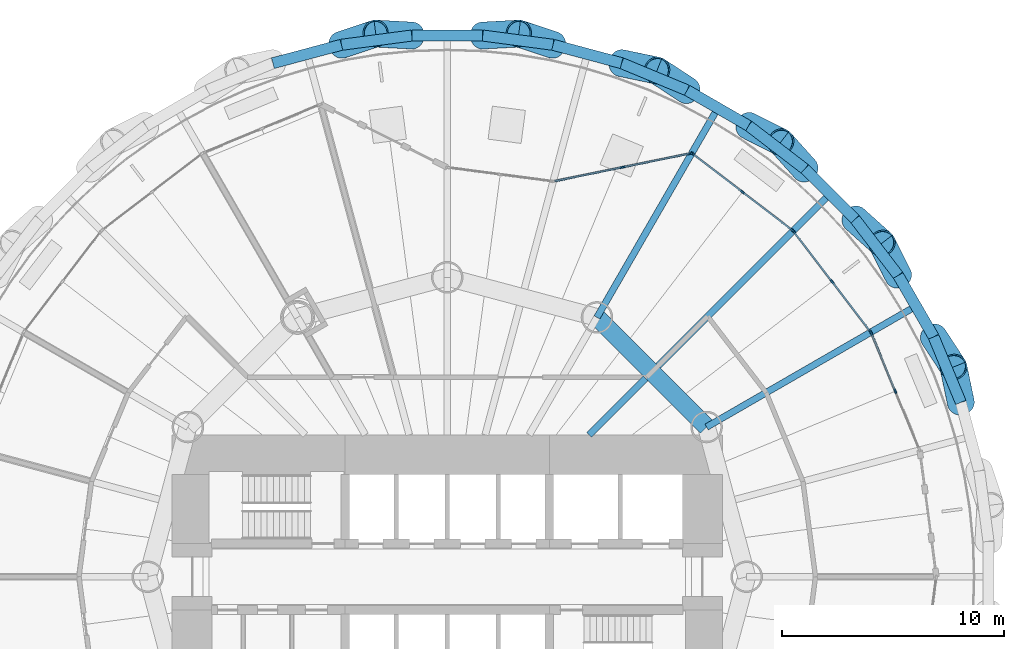
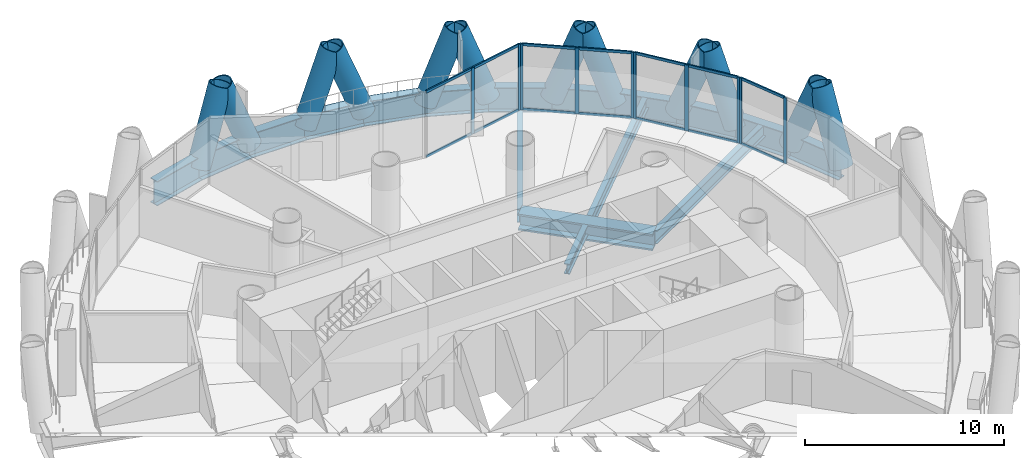
# One storey, part 7 of 16: 36 members, 17 beams, 4 elements without a shape of their own.
"""IFC4 building model written with IfcOpenShell, lengths in metres."""

import ifcopenshell
import ifcopenshell.guid

model = None  # the IFC model being written
_history = None  # IfcOwnerHistory: only IFC2X3 demands one
_inside = {}  # id of a spatial element -> (the spatial element, [elements in it])
_under = {}  # id of a project, library or spatial element -> (it, [spatial elements below it])
_declared = {}  # id of a project -> (the project, [libraries it declares])
_typed = {}  # id of a type object -> (the type object, [elements of that type])
_made_of = {}  # id of a material, layer set ... -> (it, [elements and type objects made of it])


def new_model(schema):
    """Start an empty IFC model of exactly this schema.

    Asked for "IFC4X3", IfcOpenShell would pick the latest addendum, in which some entities
    have other attributes; the version numbers below select the first issue.
    IFC2X3 requires an IfcOwnerHistory on every rooted entity: one is made here for all.
    """
    global model, _history
    if schema == "IFC4X3":
        model = ifcopenshell.file(schema_version=(4, 3, 0, 0))
    else:
        model = ifcopenshell.file(schema=schema)
    _inside.clear()
    _under.clear()
    _declared.clear()
    _typed.clear()
    _made_of.clear()
    _history = None
    if model.schema == "IFC2X3":
        org = make("IfcOrganization", Name="unknown")
        user = make(
            "IfcPersonAndOrganization",
            ThePerson=make("IfcPerson", FamilyName="unknown"),
            TheOrganization=org,
        )
        app = make(
            "IfcApplication",
            ApplicationDeveloper=org,
            Version="unknown",
            ApplicationFullName="unknown",
            ApplicationIdentifier="unknown",
        )
        _history = make(
            "IfcOwnerHistory",
            OwningUser=user,
            OwningApplication=app,
            ChangeAction="ADDED",
            CreationDate=0,
        )
    return model


def make(cls, **values):
    """One entity of the class cls with the attributes given. An attribute that is None is left unset."""
    return model.create_entity(
        cls, **{name: value for name, value in values.items() if value is not None}
    )


def rooted(cls, **values):
    """An entity with a GlobalId (a new one), such as an element, a storey or a relation."""
    return make(cls, GlobalId=ifcopenshell.guid.new(), OwnerHistory=_history, **values)


def si_unit(unit_type, name, prefix=None):
    """IfcSIUnit, for example si_unit("LENGTHUNIT", "METRE", prefix="MILLI")."""
    return make("IfcSIUnit", UnitType=unit_type, Prefix=prefix, Name=name)


def assignment(units):
    """IfcUnitAssignment: the units of a project."""
    return None if units is None else make("IfcUnitAssignment", Units=units)


def point(xyz):
    """IfcCartesianPoint."""
    return None if xyz is None else make("IfcCartesianPoint", Coordinates=xyz)


def direction(xyz):
    """IfcDirection."""
    return None if xyz is None else make("IfcDirection", DirectionRatios=xyz)


def frame(location, z_axis=None, x_axis=None):
    """IfcAxis2Placement3D, a coordinate frame: its origin and axes. An axis left out is left unset."""
    return make(
        "IfcAxis2Placement3D",
        Location=point(location),
        Axis=direction(z_axis),
        RefDirection=direction(x_axis),
    )


def frame_2d(location, x_axis=None):
    """IfcAxis2Placement2D, a coordinate frame in the plane: its origin and x axis."""
    return make(
        "IfcAxis2Placement2D", Location=point(location), RefDirection=direction(x_axis)
    )


def origin():
    """The frame at (0, 0, 0) with its axes left unset."""
    return frame((0.0, 0.0, 0.0))


def origin_2d():
    """The frame at (0, 0) in the plane with its x axis left unset."""
    return frame_2d((0.0, 0.0))


def place(relative_to, where):
    """IfcLocalPlacement: puts the frame where relative to a parent placement (None: the world)."""
    return make(
        "IfcLocalPlacement", PlacementRelTo=relative_to, RelativePlacement=where
    )


def context(
    kind, dimensions, precision=None, world=None, true_north=None, identifier=None
):
    """IfcGeometricRepresentationContext, for example the 3D "Model" context."""
    return make(
        "IfcGeometricRepresentationContext",
        ContextIdentifier=identifier,
        ContextType=kind,
        CoordinateSpaceDimension=dimensions,
        Precision=precision,
        WorldCoordinateSystem=world,
        TrueNorth=true_north,
    )


def subcontext(parent, identifier, kind, view, scale=None):
    """IfcGeometricRepresentationSubContext, for example "Body" below "Model"."""
    return make(
        "IfcGeometricRepresentationSubContext",
        ContextIdentifier=identifier,
        ContextType=kind,
        ParentContext=parent,
        TargetScale=scale,
        TargetView=view,
    )


def project(units=None, contexts=None):
    """IfcProject with its units and contexts."""
    return rooted(
        "IfcProject",
        Name="project",
        RepresentationContexts=contexts,
        UnitsInContext=assignment(units),
    )


def spatial(cls, under=None, at=None, **own):
    """A site, building, storey or space (cls), placed at a placement, below another one or the project."""
    s = rooted(cls, ObjectPlacement=at, **own)
    if under is not None:
        _under.setdefault(under.id(), (under, []))[1].append(s)
    return s


def profile(cls, at=None, kind="AREA", **sizes):
    """A parametric profile (cls). Its sizes go by their IFC names, for example OverallWidth=200.0."""
    return make(cls, ProfileType=kind, Position=at, **sizes)


def rectangle(**sizes):
    """IfcRectangleProfileDef."""
    return profile("IfcRectangleProfileDef", **sizes)


def hollow_circle(**sizes):
    """IfcCircleHollowProfileDef."""
    return profile("IfcCircleHollowProfileDef", **sizes)


def i_section(**sizes):
    """IfcIShapeProfileDef."""
    return profile("IfcIShapeProfileDef", **sizes)


def extrude(swept, where, along, depth):
    """IfcExtrudedAreaSolid: the profile swept, set in the frame where, extruded along a direction by depth."""
    return make(
        "IfcExtrudedAreaSolid",
        SweptArea=swept,
        Position=where,
        ExtrudedDirection=direction(along),
        Depth=depth,
    )


def shape(context_of_items, identifier, shape_type, items):
    """IfcShapeRepresentation: the items that make up one representation, for example the "Body"."""
    return make(
        "IfcShapeRepresentation",
        ContextOfItems=context_of_items,
        RepresentationIdentifier=identifier,
        RepresentationType=shape_type,
        Items=items,
    )


def material(Name=None, Category=None):
    """IfcMaterial."""
    return make("IfcMaterial", Name=Name, Category=Category)


def material_profile(
    of_material, cross_section, Name=None, Category=None, Priority=None
):
    """IfcMaterialProfile: a cross section and its material."""
    return make(
        "IfcMaterialProfile",
        Name=Name,
        Material=of_material,
        Profile=cross_section,
        Priority=Priority,
        Category=Category,
    )


def profile_set(profiles, Name=None, composite=None):
    """IfcMaterialProfileSet."""
    return make(
        "IfcMaterialProfileSet",
        Name=Name,
        MaterialProfiles=profiles,
        CompositeProfile=composite,
    )


def made_of(thing, what):
    """Note that an element or type object is made of a material, layer set ...; save() writes the relation."""
    if what is not None:
        _made_of.setdefault(what.id(), (what, []))[1].append(thing)
    return thing


def type_object(cls, material=None, **own):
    """A type object (cls), such as IfcWallType, which elements share."""
    return made_of(rooted(cls, **own), material)


def element(
    cls,
    number,
    at=None,
    inside=None,
    cuts=None,
    type_object=None,
    material=None,
    context=None,
    identifier="Body",
    shape_type=None,
    held_by="IfcProductDefinitionShape",
    body=None,
    shapes=None,
    **own,
):
    """One element of the class cls, such as IfcWall. Its Tag is "e" and its number.

    at: its placement. inside: the storey or other place that contains it. cuts: it is an
    opening in that element (IfcRelVoidsElement). A single representation is given by context,
    identifier, shape_type and body (its items); several are given by shapes. held_by: the class
    of the entity that holds the representations. save() writes the other relations.
    """
    e = rooted(cls, Tag="e%d" % number, ObjectPlacement=at, **own)
    if body is not None:
        shapes = [shape(context, identifier, shape_type, body)]
    if shapes is not None:
        e.Representation = make(held_by, Representations=shapes)
    if inside is not None:
        _inside.setdefault(inside.id(), (inside, []))[1].append(e)
    if cuts is not None:
        rooted(
            "IfcRelVoidsElement", RelatingBuildingElement=cuts, RelatedOpeningElement=e
        )
    if type_object is not None:
        _typed.setdefault(type_object.id(), (type_object, []))[1].append(e)
    return made_of(e, material)


def aggregate(whole, parts):
    """IfcRelAggregates: a whole, such as a stair, and the parts it consists of."""
    return rooted("IfcRelAggregates", RelatingObject=whole, RelatedObjects=parts)


def save(model, path):
    """Write the relations noted so far, then the file.

    IfcRelAggregates (storeys below a building ...), IfcRelContainedInSpatialStructure (elements
    in a storey), IfcRelDefinesByType, IfcRelAssociatesMaterial and IfcRelDeclares: one each for
    every whole, place, type object, material and project.
    """
    for whole, parts in _under.values():
        aggregate(whole, parts)
    for where, things in _inside.values():
        rooted(
            "IfcRelContainedInSpatialStructure",
            RelatedElements=things,
            RelatingStructure=where,
        )
    for kind, things in _typed.values():
        rooted("IfcRelDefinesByType", RelatedObjects=things, RelatingType=kind)
    for what, things in _made_of.values():
        rooted("IfcRelAssociatesMaterial", RelatedObjects=things, RelatingMaterial=what)
    for by, libraries in _declared.values():
        rooted("IfcRelDeclares", RelatingContext=by, RelatedDefinitions=libraries)
    model.write(path)


model = new_model("IFC4")

# Units and contexts
model_context = context("Model", 3, precision=1e-05, world=origin(), true_north=direction((0.0, 1.0)))
body_context = subcontext(model_context, "Body", "Model", "MODEL_VIEW")
ifc_project = project(units=[si_unit("LENGTHUNIT", "METRE"), si_unit("AREAUNIT", "SQUARE_METRE"), si_unit("VOLUMEUNIT", "CUBIC_METRE"), si_unit("PLANEANGLEUNIT", "RADIAN"), si_unit("MASSUNIT", "GRAM", prefix="KILO")], contexts=[model_context])

# Site, building, storey
site_placement = place(None, origin())
site = spatial("IfcSite", under=ifc_project, at=site_placement, CompositionType="ELEMENT")
building_placement = place(site_placement, origin())
building = spatial("IfcBuilding", under=site, at=building_placement, Name="Qaws Media Tower", CompositionType="ELEMENT")
storey_placement = place(building_placement, frame((0.0, 0.0, 47.0)))
storey = spatial("IfcBuildingStorey", under=building, at=storey_placement, Name="L09", CompositionType="ELEMENT", Elevation=47.0)

# Curtain wall, members
ifc_material_1 = material(Name="Aluminium and clear glass", Category="aluminium")
curtain_wall_type_1 = type_object("IfcCurtainWallType", Name="Unitised curtain wall CW-A", PredefinedType="NOTDEFINED", material=ifc_material_1)
curtain_wall_1_placement = place(storey_placement, origin())
curtain_wall_1 = element("IfcCurtainWall", 1, at=curtain_wall_1_placement, inside=storey, type_object=curtain_wall_type_1, Name="CWA curtain wall L09-02", PredefinedType="NOTDEFINED")
ifc_material_2 = material(Name="Aluminium mullion", Category="aluminium")
ifc_material_profile_1 = material_profile(ifc_material_2, rectangle(XDim=0.080078125, YDim=0.199951171875, at=origin_2d()), Name="80x200")
ifc_profile_set_1 = profile_set([ifc_material_profile_1], Name="Aluminium mullion")
member_type_1 = type_object("IfcMemberType", Name="Curtain wall mullion 80x200", PredefinedType="MULLION", material=ifc_profile_set_1)
member_1_placement = place(storey_placement, frame((80.197265625, 58.365966796875, 0.0), z_axis=(0.0, 0.0, 1.0), x_axis=(-0.923879550525, -0.382683388877, 0.0)))
member_1 = element("IfcMember", 2, at=member_1_placement, type_object=member_type_1, Name="CWA mullion 2", PredefinedType="MULLION", context=body_context, shape_type="SweptSolid", body=[
    extrude(rectangle(XDim=0.080078125, YDim=0.199951171875, at=origin_2d()), origin(), (0.0, 0.0, 1.0), 4.0400390625),
])
member_2_placement = place(storey_placement, frame((79.111083984375, 60.988037109375, 0.0), z_axis=(0.0, 0.0, 1.0), x_axis=(-0.923879550525, -0.382683388877, 0.0)))
member_2 = element("IfcMember", 3, at=member_2_placement, type_object=member_type_1, Name="CWA mullion 3", PredefinedType="MULLION", context=body_context, shape_type="SweptSolid", body=[
    extrude(rectangle(XDim=0.080078125, YDim=0.199951171875, at=origin_2d()), origin(), (0.0, 0.0, 1.0), 4.0400390625),
])

curtain_wall_2_placement = place(storey_placement, origin())
curtain_wall_2 = element("IfcCurtainWall", 4, at=curtain_wall_2_placement, inside=storey, type_object=curtain_wall_type_1, Name="CWA curtain wall L09-03", PredefinedType="NOTDEFINED")
member_3_placement = place(storey_placement, frame((79.071533203125, 61.056640625, 0.0), z_axis=(0.0, 0.0, 1.0), x_axis=(-0.79335342358, -0.608761320465, 0.0)))
member_3 = element("IfcMember", 5, at=member_3_placement, type_object=member_type_1, Name="CWA mullion 1", PredefinedType="MULLION", context=body_context, shape_type="SweptSolid", body=[
    extrude(rectangle(XDim=0.080078125, YDim=0.199951171875, at=origin_2d()), origin(), (0.0, 0.0, 1.0), 4.0400390625),
])
member_4_placement = place(storey_placement, frame((77.34375, 63.308349609375, 0.0), z_axis=(0.0, 0.0, 1.0), x_axis=(-0.79335342358, -0.608761320465, 0.0)))
member_4 = element("IfcMember", 6, at=member_4_placement, type_object=member_type_1, Name="CWA mullion 2", PredefinedType="MULLION", context=body_context, shape_type="SweptSolid", body=[
    extrude(rectangle(XDim=0.080078125, YDim=0.199951171875, at=origin_2d()), origin(), (0.0, 0.0, 1.0), 4.0400390625),
])
member_5_placement = place(storey_placement, frame((75.615966796875, 65.56005859375, 0.0), z_axis=(0.0, 0.0, 1.0), x_axis=(-0.79335342358, -0.608761320465, 0.0)))
member_5 = element("IfcMember", 7, at=member_5_placement, type_object=member_type_1, Name="CWA mullion 3", PredefinedType="MULLION", context=body_context, shape_type="SweptSolid", body=[
    extrude(rectangle(XDim=0.080078125, YDim=0.199951171875, at=origin_2d()), origin(), (0.0, 0.0, 1.0), 4.0400390625),
])

curtain_wall_3_placement = place(storey_placement, origin())
curtain_wall_3 = element("IfcCurtainWall", 8, at=curtain_wall_3_placement, inside=storey, type_object=curtain_wall_type_1, Name="CWA curtain wall L09-04", PredefinedType="NOTDEFINED")
member_6_placement = place(storey_placement, frame((75.56005859375, 65.615966796875, 0.0), z_axis=(0.0, 0.0, 1.0), x_axis=(-0.608761320465, -0.79335342358, 0.0)))
member_6 = element("IfcMember", 9, at=member_6_placement, type_object=member_type_1, Name="CWA mullion 1", PredefinedType="MULLION", context=body_context, shape_type="SweptSolid", body=[
    extrude(rectangle(XDim=0.080078125, YDim=0.199951171875, at=origin_2d()), origin(), (0.0, 0.0, 1.0), 4.0400390625),
])
member_7_placement = place(storey_placement, frame((73.308349609375, 67.34375, 0.0), z_axis=(0.0, 0.0, 1.0), x_axis=(-0.608761320465, -0.79335342358, 0.0)))
member_7 = element("IfcMember", 10, at=member_7_placement, type_object=member_type_1, Name="CWA mullion 2", PredefinedType="MULLION", context=body_context, shape_type="SweptSolid", body=[
    extrude(rectangle(XDim=0.080078125, YDim=0.199951171875, at=origin_2d()), origin(), (0.0, 0.0, 1.0), 4.0400390625),
])
member_8_placement = place(storey_placement, frame((71.056640625, 69.071533203125, 0.0), z_axis=(0.0, 0.0, 1.0), x_axis=(-0.608761320465, -0.79335342358, 0.0)))
member_8 = element("IfcMember", 11, at=member_8_placement, type_object=member_type_1, Name="CWA mullion 3", PredefinedType="MULLION", context=body_context, shape_type="SweptSolid", body=[
    extrude(rectangle(XDim=0.080078125, YDim=0.199951171875, at=origin_2d()), origin(), (0.0, 0.0, 1.0), 4.0400390625),
])

ifc_material_3 = material(Name="Aluminium and clear glass", Category="aluminium")
curtain_wall_type_2 = type_object("IfcCurtainWallType", Name="Loggia curtain wall CW-G", PredefinedType="NOTDEFINED", material=ifc_material_3)
curtain_wall_4_placement = place(storey_placement, origin())
curtain_wall_4 = element("IfcCurtainWall", 12, at=curtain_wall_4_placement, inside=storey, type_object=curtain_wall_type_2, Name="CWG curtain wall L09-05", PredefinedType="NOTDEFINED")
member_9_placement = place(storey_placement, frame((70.98583984375, 69.087890625, 0.0), z_axis=(0.0, 0.0, 1.0), x_axis=(0.19981881012, -0.979832864892, 0.0)))
member_9 = element("IfcMember", 13, at=member_9_placement, type_object=member_type_1, Name="CWG mullion 1", PredefinedType="MULLION", context=body_context, shape_type="SweptSolid", body=[
    extrude(rectangle(XDim=0.080078125, YDim=0.199951171875, at=origin_2d()), origin(), (0.0, 0.0, 1.0), 4.0400390625),
])
member_10_placement = place(storey_placement, frame((67.900146484375, 68.45849609375, 0.0), z_axis=(0.0, 0.0, 1.0), x_axis=(0.19981881012, -0.979832864892, 0.0)))
member_10 = element("IfcMember", 14, at=member_10_placement, type_object=member_type_1, Name="CWG mullion 2", PredefinedType="MULLION", context=body_context, shape_type="SweptSolid", body=[
    extrude(rectangle(XDim=0.080078125, YDim=0.199951171875, at=origin_2d()), origin(), (0.0, 0.0, 1.0), 4.0400390625),
])

# Member
ifc_material_4 = material(Name="Aluminium transom", Category="aluminium")
ifc_material_profile_2 = material_profile(ifc_material_4, rectangle(XDim=0.080078125, YDim=0.159912109375, at=origin_2d()), Name="80x160")
ifc_profile_set_2 = profile_set([ifc_material_profile_2], Name="Aluminium transom")
member_type_2 = type_object("IfcMemberType", Name="Curtain wall transom 80x160", PredefinedType="USERDEFINED", material=ifc_profile_set_2)
member_11_placement = place(storey_placement, frame((80.181884765625, 58.40283203125, 0.0400390625), z_axis=(-0.382641035771, 0.923897092616, 0.0), x_axis=(-0.923897092616, -0.382641035771, 0.0)))
member_11 = element("IfcMember", 15, at=member_11_placement, type_object=member_type_2, Name="CWA transom 2.1", ObjectType="TRANSOM", PredefinedType="USERDEFINED", context=body_context, shape_type="SweptSolid", body=[
    extrude(rectangle(XDim=0.080078125, YDim=0.159912109375, at=origin_2d()), origin(), (0.0, 0.0, 1.0), 2.75830078125),
])

member_12_placement = place(storey_placement, frame((80.181884765625, 58.40283203125, 4.0), z_axis=(-0.382641035771, 0.923897092616, 0.0), x_axis=(-0.923897092616, -0.382641035771, 0.0)))
member_12 = element("IfcMember", 16, at=member_12_placement, type_object=member_type_2, Name="CWA transom 2.2", ObjectType="TRANSOM", PredefinedType="USERDEFINED", context=body_context, shape_type="SweptSolid", body=[
    extrude(rectangle(XDim=0.080078125, YDim=0.159912109375, at=origin_2d()), origin(), (0.0, 0.0, 1.0), 2.75830078125),
])

aggregate(curtain_wall_1, [member_1, member_2, member_11, member_12])

member_13_placement = place(storey_placement, frame((79.047119140625, 61.08837890625, 0.0400390625), z_axis=(-0.608730686286, 0.793376929066, 0.0), x_axis=(-0.793376929066, -0.608730686286, 0.0)))
member_13 = element("IfcMember", 17, at=member_13_placement, type_object=member_type_2, Name="CWA transom 1.1", ObjectType="TRANSOM", PredefinedType="USERDEFINED", context=body_context, shape_type="SweptSolid", body=[
    extrude(rectangle(XDim=0.080078125, YDim=0.159912109375, at=origin_2d()), origin(), (0.0, 0.0, 1.0), 2.758056640625),
])

member_14_placement = place(storey_placement, frame((79.047119140625, 61.08837890625, 4.0), z_axis=(-0.608730686286, 0.793376929066, 0.0), x_axis=(-0.793376929066, -0.608730686286, 0.0)))
member_14 = element("IfcMember", 18, at=member_14_placement, type_object=member_type_2, Name="CWA transom 1.2", ObjectType="TRANSOM", PredefinedType="USERDEFINED", context=body_context, shape_type="SweptSolid", body=[
    extrude(rectangle(XDim=0.080078125, YDim=0.159912109375, at=origin_2d()), origin(), (0.0, 0.0, 1.0), 2.758056640625),
])

member_15_placement = place(storey_placement, frame((77.3193359375, 63.340087890625, 0.0400390625), z_axis=(-0.608730686286, 0.793376929066, 0.0), x_axis=(-0.793376929066, -0.608730686286, 0.0)))
member_15 = element("IfcMember", 19, at=member_15_placement, type_object=member_type_2, Name="CWA transom 2.1", ObjectType="TRANSOM", PredefinedType="USERDEFINED", context=body_context, shape_type="SweptSolid", body=[
    extrude(rectangle(XDim=0.080078125, YDim=0.159912109375, at=origin_2d()), origin(), (0.0, 0.0, 1.0), 2.758056640625),
])

member_16_placement = place(storey_placement, frame((77.3193359375, 63.340087890625, 4.0), z_axis=(-0.608730686286, 0.793376929066, 0.0), x_axis=(-0.793376929066, -0.608730686286, 0.0)))
member_16 = element("IfcMember", 20, at=member_16_placement, type_object=member_type_2, Name="CWA transom 2.2", ObjectType="TRANSOM", PredefinedType="USERDEFINED", context=body_context, shape_type="SweptSolid", body=[
    extrude(rectangle(XDim=0.080078125, YDim=0.159912109375, at=origin_2d()), origin(), (0.0, 0.0, 1.0), 2.758056640625),
])

aggregate(curtain_wall_2, [member_3, member_4, member_5, member_13, member_14, member_15, member_16])

member_17_placement = place(storey_placement, frame((75.5283203125, 65.640380859375, 0.0400390625), z_axis=(-0.793376929066, 0.608730686286, 0.0), x_axis=(-0.608730686286, -0.793376929066, 0.0)))
member_17 = element("IfcMember", 21, at=member_17_placement, type_object=member_type_2, Name="CWA transom 1.1", ObjectType="TRANSOM", PredefinedType="USERDEFINED", context=body_context, shape_type="SweptSolid", body=[
    extrude(rectangle(XDim=0.080078125, YDim=0.159912109375, at=origin_2d()), origin(), (0.0, 0.0, 1.0), 2.758056640625),
])

member_18_placement = place(storey_placement, frame((75.5283203125, 65.640380859375, 4.0), z_axis=(-0.793376929066, 0.608730686286, 0.0), x_axis=(-0.608730686286, -0.793376929066, 0.0)))
member_18 = element("IfcMember", 22, at=member_18_placement, type_object=member_type_2, Name="CWA transom 1.2", ObjectType="TRANSOM", PredefinedType="USERDEFINED", context=body_context, shape_type="SweptSolid", body=[
    extrude(rectangle(XDim=0.080078125, YDim=0.159912109375, at=origin_2d()), origin(), (0.0, 0.0, 1.0), 2.758056640625),
])

member_19_placement = place(storey_placement, frame((73.276611328125, 67.3681640625, 0.0400390625), z_axis=(-0.793376929066, 0.608730686286, 0.0), x_axis=(-0.608730686286, -0.793376929066, 0.0)))
member_19 = element("IfcMember", 23, at=member_19_placement, type_object=member_type_2, Name="CWA transom 2.1", ObjectType="TRANSOM", PredefinedType="USERDEFINED", context=body_context, shape_type="SweptSolid", body=[
    extrude(rectangle(XDim=0.080078125, YDim=0.159912109375, at=origin_2d()), origin(), (0.0, 0.0, 1.0), 2.758056640625),
])

member_20_placement = place(storey_placement, frame((73.276611328125, 67.3681640625, 4.0), z_axis=(-0.793376929066, 0.608730686286, 0.0), x_axis=(-0.608730686286, -0.793376929066, 0.0)))
member_20 = element("IfcMember", 24, at=member_20_placement, type_object=member_type_2, Name="CWA transom 2.2", ObjectType="TRANSOM", PredefinedType="USERDEFINED", context=body_context, shape_type="SweptSolid", body=[
    extrude(rectangle(XDim=0.080078125, YDim=0.159912109375, at=origin_2d()), origin(), (0.0, 0.0, 1.0), 2.758056640625),
])

aggregate(curtain_wall_3, [member_6, member_7, member_8, member_17, member_18, member_19, member_20])

member_21_placement = place(storey_placement, frame((70.946533203125, 69.079833984375, 0.0400390625), z_axis=(-0.979833309086, -0.199816631955, 0.0), x_axis=(0.199816631955, -0.979833309086, 0.0)))
member_21 = element("IfcMember", 25, at=member_21_placement, type_object=member_type_2, Name="CWG transom 1.1", ObjectType="TRANSOM", PredefinedType="USERDEFINED", context=body_context, shape_type="SweptSolid", body=[
    extrude(rectangle(XDim=0.080078125, YDim=0.159912109375, at=origin_2d()), origin(), (0.0, 0.0, 1.0), 3.0693359375),
])

member_22_placement = place(storey_placement, frame((70.946533203125, 69.079833984375, 4.0), z_axis=(-0.979833309086, -0.199816631955, 0.0), x_axis=(0.199816631955, -0.979833309086, 0.0)))
member_22 = element("IfcMember", 26, at=member_22_placement, type_object=member_type_2, Name="CWG transom 1.2", ObjectType="TRANSOM", PredefinedType="USERDEFINED", context=body_context, shape_type="SweptSolid", body=[
    extrude(rectangle(XDim=0.080078125, YDim=0.159912109375, at=origin_2d()), origin(), (0.0, 0.0, 1.0), 3.0693359375),
])

member_23_placement = place(storey_placement, frame((67.86083984375, 68.45068359375, 0.0400390625), z_axis=(-0.979833309086, -0.199816631955, 0.0), x_axis=(0.199816631955, -0.979833309086, 0.0)))
member_23 = element("IfcMember", 27, at=member_23_placement, type_object=member_type_2, Name="CWG transom 2.1", ObjectType="TRANSOM", PredefinedType="USERDEFINED", context=body_context, shape_type="SweptSolid", body=[
    extrude(rectangle(XDim=0.080078125, YDim=0.159912109375, at=origin_2d()), origin(), (0.0, 0.0, 1.0), 3.0693359375),
])

member_24_placement = place(storey_placement, frame((67.86083984375, 68.45068359375, 4.0), z_axis=(-0.979833309086, -0.199816631955, 0.0), x_axis=(0.199816631955, -0.979833309086, 0.0)))
member_24 = element("IfcMember", 28, at=member_24_placement, type_object=member_type_2, Name="CWG transom 2.2", ObjectType="TRANSOM", PredefinedType="USERDEFINED", context=body_context, shape_type="SweptSolid", body=[
    extrude(rectangle(XDim=0.080078125, YDim=0.159912109375, at=origin_2d()), origin(), (0.0, 0.0, 1.0), 3.0693359375),
])

aggregate(curtain_wall_4, [member_9, member_10, member_21, member_22, member_23, member_24])

# Members
ifc_material_5 = material(Name="Steel S460", Category="steel")
ifc_material_profile_3 = material_profile(ifc_material_5, hollow_circle(Radius=0.609619140625, WallThickness=0.06005859375, at=origin_2d()), Name="CHS 1219x60")
ifc_profile_set_3 = profile_set([ifc_material_profile_3], Name="Steel S460")
member_type_3 = type_object("IfcMemberType", Name="Diagrid member CHS 1219x60", PredefinedType="USERDEFINED", material=ifc_profile_set_3)
member_25_placement = place(storey_placement, frame((83.15234375, 57.859130859375, -0.909912109375), z_axis=(-0.073822826666, 0.353720827329, 0.932433250467), x_axis=(-0.978907978133, -0.204301665065, 0.0)))
element("IfcMember", 29, at=member_25_placement, inside=storey, type_object=member_type_3, Name="DG1 diagrid L09 A02", ObjectType="DIAGRID", PredefinedType="USERDEFINED", context=body_context, shape_type="SweptSolid", body=[
    extrude(hollow_circle(Radius=0.609619140625, WallThickness=0.06005859375, at=origin_2d()), origin(), (0.0, 0.0, 1.0), 4.50439453125),
])
for number, where, z_axis, x_axis, name in (
    (30, (80.329345703125, 63.583740234375, -0.909912109375), (-0.16282626708, 0.322508751373, 0.932456815105), (-0.892680067267, -0.450690911272, 0.0), "DG1 diagrid L09 A03"),
    (31, (81.928466796875, 60.81396484375, -0.909912109375), (0.197893899666, -0.3022882165, 0.932448303468), (0.836660268632, 0.547722187695, 0.0), "DG1 diagrid L09 B03"),
):
    element("IfcMember", number, at=place(storey_placement, frame(where, z_axis=z_axis, x_axis=x_axis)), inside=storey, type_object=member_type_3, Name=name, ObjectType="DIAGRID", PredefinedType="USERDEFINED", context=body_context, shape_type="SweptSolid", body=[
        extrude(hollow_circle(Radius=0.609619140625, WallThickness=0.06005859375, at=origin_2d()), origin(), (0.0, 0.0, 1.0), 4.504150390625),
    ])
for number, where, z_axis, x_axis, name in (
    (32, (76.12109375, 68.382568359375, -0.909912109375), (-0.240819425539, 0.269383872368, 0.9324367719), (-0.745527640018, -0.666474709175, 0.0), "DG1 diagrid L09 A04"),
    (33, (78.382568359375, 66.12109375, -0.909912109375), (0.269383872368, -0.240819425539, 0.9324367719), (0.666474709175, 0.745527640018, 0.0), "DG1 diagrid L09 B04"),
):
    element("IfcMember", number, at=place(storey_placement, frame(where, z_axis=z_axis, x_axis=x_axis)), inside=storey, type_object=member_type_3, Name=name, ObjectType="DIAGRID", PredefinedType="USERDEFINED", context=body_context, shape_type="SweptSolid", body=[
        extrude(hollow_circle(Radius=0.609619140625, WallThickness=0.06005859375, at=origin_2d()), origin(), (0.0, 0.0, 1.0), 4.50439453125),
    ])
for number, where, z_axis, x_axis, name in (
    (34, (70.81396484375, 71.928466796875, -0.909912109375), (-0.3022882165, 0.197893899666, 0.932448303468), (-0.547722187695, -0.836660268632, 0.0), "DG1 diagrid L09 A05"),
    (35, (73.583740234375, 70.329345703125, -0.909912109375), (0.322508751373, -0.16282626708, 0.932456815105), (0.450690911272, 0.892680067267, 0.0), "DG1 diagrid L09 B05"),
):
    element("IfcMember", number, at=place(storey_placement, frame(where, z_axis=z_axis, x_axis=x_axis)), inside=storey, type_object=member_type_3, Name=name, ObjectType="DIAGRID", PredefinedType="USERDEFINED", context=body_context, shape_type="SweptSolid", body=[
        extrude(hollow_circle(Radius=0.609619140625, WallThickness=0.06005859375, at=origin_2d()), origin(), (0.0, 0.0, 1.0), 4.504150390625),
    ])
for number, where, z_axis, x_axis, name in (
    (36, (64.77001953125, 73.980224609375, -0.909912109375), (-0.343258845782, 0.112901969961, 0.932430431706), (-0.312445312574, -0.949935748696, 0.0), "DG1 diagrid L09 A06"),
    (37, (67.859130859375, 73.15234375, -0.909912109375), (0.353720827329, -0.073822826666, 0.932433250467), (0.204301665065, 0.978907978133, 0.0), "DG1 diagrid L09 B06"),
):
    element("IfcMember", number, at=place(storey_placement, frame(where, z_axis=z_axis, x_axis=x_axis)), inside=storey, type_object=member_type_3, Name=name, ObjectType="DIAGRID", PredefinedType="USERDEFINED", context=body_context, shape_type="SweptSolid", body=[
        extrude(hollow_circle(Radius=0.609619140625, WallThickness=0.06005859375, at=origin_2d()), origin(), (0.0, 0.0, 1.0), 4.50439453125),
    ])
for number, where, z_axis, x_axis, name in (
    (38, (58.40087890625, 74.397705078125, -0.909912109375), (-0.360721105206, 0.020217726858, 0.932454571429), (-0.055960256636, -0.99843299709, 0.0), "DG1 diagrid L09 A07"),
    (39, (61.59912109375, 74.397705078125, -0.909912109375), (0.360721105206, 0.020217726858, 0.932454571429), (-0.055960256636, 0.99843299709, 0.0), "DG1 diagrid L09 B07"),
):
    element("IfcMember", number, at=place(storey_placement, frame(where, z_axis=z_axis, x_axis=x_axis)), inside=storey, type_object=member_type_3, Name=name, ObjectType="DIAGRID", PredefinedType="USERDEFINED", context=body_context, shape_type="SweptSolid", body=[
        extrude(hollow_circle(Radius=0.609619140625, WallThickness=0.06005859375, at=origin_2d()), origin(), (0.0, 0.0, 1.0), 4.504150390625),
    ])
member_26_placement = place(storey_placement, frame((55.22998046875, 73.980224609375, -0.909912109375), z_axis=(0.343258845782, 0.112901969961, 0.932430431706), x_axis=(-0.312445312574, 0.949935748696, 0.0)))
element("IfcMember", 40, at=member_26_placement, inside=storey, type_object=member_type_3, Name="DG1 diagrid L09 B08", ObjectType="DIAGRID", PredefinedType="USERDEFINED", context=body_context, shape_type="SweptSolid", body=[
    extrude(hollow_circle(Radius=0.609619140625, WallThickness=0.06005859375, at=origin_2d()), origin(), (0.0, 0.0, 1.0), 4.50439453125),
])

# Beams
ifc_material_6 = material(Name="Steel S460", Category="steel")
ifc_material_profile_4 = material_profile(ifc_material_6, i_section(OverallWidth=0.5, OverallDepth=1.5, WebThickness=0.02001953125, FlangeThickness=0.0400390625, at=origin_2d()), Name="PG 1500x500")
ifc_profile_set_4 = profile_set([ifc_material_profile_4], Name="Steel S460")
beam_type_1 = type_object("IfcBeamType", Name="Edge ring beam PG 1500x500", PredefinedType="BEAM", material=ifc_profile_set_4)
for number, where, z_axis, x_axis, name in (
    (41, (83.15234375, 57.859130859375, -0.909912109375), (-0.382668658443, 0.923885651932, 0.0), (-0.923885651932, -0.382668658443, 0.0), "RB4 edge ring beam L09-03"),
    (42, (81.928466796875, 60.81396484375, -0.909912109375), (-0.499997778408, 0.866026686418, 0.0), (-0.866026686418, -0.499997778408, 0.0), "RB4 edge ring beam L09-04"),
    (43, (80.329345703125, 63.583740234375, -0.909912109375), (-0.608721577857, 0.793383917565, 0.0), (-0.793383917565, -0.608721577857, 0.0), "RB4 edge ring beam L09-05"),
    (44, (78.382568359375, 66.12109375, -0.909912109375), (-0.707106781187, 0.707106781187, 0.0), (-0.707106781187, -0.707106781187, 0.0), "RB4 edge ring beam L09-06"),
    (45, (76.12109375, 68.382568359375, -0.909912109375), (-0.793383917565, 0.608721577857, 0.0), (-0.608721577857, -0.793383917565, 0.0), "RB4 edge ring beam L09-07"),
    (46, (73.583740234375, 70.329345703125, -0.909912109375), (-0.866026686418, 0.499997778408, 0.0), (-0.499997778408, -0.866026686418, 0.0), "RB4 edge ring beam L09-08"),
    (47, (70.81396484375, 71.928466796875, -0.909912109375), (-0.923885651932, 0.382668658443, 0.0), (-0.382668658443, -0.923885651932, 0.0), "RB4 edge ring beam L09-09"),
    (48, (67.859130859375, 73.15234375, -0.909912109375), (-0.965913632625, 0.258864548189, 0.0), (-0.258864548189, -0.965913632625, 0.0), "RB4 edge ring beam L09-10"),
    (49, (64.77001953125, 73.980224609375, -0.909912109375), (-0.991443899561, 0.130533497709, 0.0), (-0.130533497709, -0.991443899561, 0.0), "RB4 edge ring beam L09-11"),
    (50, (61.59912109375, 74.397705078125, -0.909912109375), (-1.0, 0.0, 0.0), (0.0, -1.0, 0.0), "RB4 edge ring beam L09-12"),
    (51, (58.40087890625, 74.397705078125, -0.909912109375), (-0.991443899561, -0.130533497709, 0.0), (0.130533497709, -0.991443899561, 0.0), "RB4 edge ring beam L09-13"),
    (52, (55.22998046875, 73.980224609375, -0.909912109375), (-0.965913632625, -0.258864548189, 0.0), (0.258864548189, -0.965913632625, 0.0), "RB4 edge ring beam L09-14"),
):
    element("IfcBeam", number, at=place(storey_placement, frame(where, z_axis=z_axis, x_axis=x_axis)), inside=storey, type_object=beam_type_1, Name=name, PredefinedType="BEAM", context=body_context, shape_type="SweptSolid", body=[
        extrude(i_section(OverallWidth=0.5, OverallDepth=1.5, WebThickness=0.02001953125, FlangeThickness=0.0400390625, at=origin_2d()), origin(), (0.0, 0.0, 1.0), 3.1982421875),
    ])
ifc_material_7 = material(Name="Steel S460", Category="steel")
ifc_material_profile_5 = material_profile(ifc_material_7, i_section(OverallWidth=0.800048828125, OverallDepth=1.0, WebThickness=0.0400390625, FlangeThickness=0.10009765625, at=origin_2d()), Name="PG 1000x800")
ifc_profile_set_5 = profile_set([ifc_material_profile_5], Name="Steel S460")
beam_type_2 = type_object("IfcBeamType", Name="Inner ring girder PG 1000x800", PredefinedType="BEAM", material=ifc_profile_set_5)
beam_1_placement = place(storey_placement, frame((71.69140625, 56.75, -0.659912109375), z_axis=(-0.707106781187, 0.707106781187, 0.0), x_axis=(-0.707106781187, -0.707106781187, 0.0)))
element("IfcBeam", 53, at=beam_1_placement, inside=storey, type_object=beam_type_2, Name="B3 inner ring beam L09 I02-I03", PredefinedType="BEAM", context=body_context, shape_type="SweptSolid", body=[
    extrude(i_section(OverallWidth=0.800048828125, OverallDepth=1.0, WebThickness=0.0400390625, FlangeThickness=0.10009765625, at=origin_2d()), origin(), (0.0, 0.0, 1.0), 6.98828125),
])
ifc_material_8 = material(Name="Steel S355", Category="steel")
ifc_material_profile_6 = material_profile(ifc_material_8, i_section(OverallWidth=0.304931640625, OverallDepth=0.6201171875, WebThickness=0.02099609375, FlangeThickness=0.0400390625, FilletRadius=0.027099609375, at=origin_2d()), Name="HE 600 M")
ifc_profile_set_6 = profile_set([ifc_material_profile_6], Name="Steel S355")
beam_type_3 = type_object("IfcBeamType", Name="Radial beam HE 600 M, core side", PredefinedType="BEAM", material=ifc_profile_set_6)
beam_2_placement = place(storey_placement, frame((66.39990234375, 56.39990234375, -0.469970703125), z_axis=(0.707106781187, 0.707106781187, 0.0), x_axis=(-0.707106781187, 0.707106781187, 0.0)))
element("IfcBeam", 54, at=beam_2_placement, inside=storey, type_object=beam_type_3, Name="B2 radial beam L09 04", PredefinedType="BEAM", context=body_context, shape_type="SweptSolid", body=[
    extrude(i_section(OverallWidth=0.304931640625, OverallDepth=0.6201171875, WebThickness=0.02099609375, FlangeThickness=0.0400390625, FilletRadius=0.027099609375, at=origin_2d()), origin(), (0.0, 0.0, 1.0), 3.589111328125),
])
ifc_material_9 = material(Name="Steel S355", Category="steel")
ifc_material_profile_7 = material_profile(ifc_material_9, i_section(OverallWidth=0.300048828125, OverallDepth=0.800048828125, WebThickness=0.017578125, FlangeThickness=0.032958984375, FilletRadius=0.030029296875, at=origin_2d()), Name="HE 800 B")
ifc_profile_set_7 = profile_set([ifc_material_profile_7], Name="Steel S355")
beam_type_4 = type_object("IfcBeamType", Name="Radial beam HE 800 B", PredefinedType="BEAM", material=ifc_profile_set_7)
beam_3_placement = place(storey_placement, frame((71.69140625, 56.75, -0.56005859375), z_axis=(0.86602590829, 0.49999912617, 0.0), x_axis=(-0.49999912617, 0.86602590829, 0.0)))
element("IfcBeam", 55, at=beam_3_placement, inside=storey, type_object=beam_type_4, Name="B1 radial beam L09 03", PredefinedType="BEAM", context=body_context, shape_type="SweptSolid", body=[
    extrude(i_section(OverallWidth=0.300048828125, OverallDepth=0.800048828125, WebThickness=0.017578125, FlangeThickness=0.032958984375, FilletRadius=0.030029296875, at=origin_2d()), origin(), (0.0, 0.0, 1.0), 10.8974609375),
])
beam_4_placement = place(storey_placement, frame((69.50341796875, 59.50341796875, -0.56005859375), z_axis=(0.707106781187, 0.707106781187, 0.0), x_axis=(-0.707106781187, 0.707106781187, 0.0)))
element("IfcBeam", 56, at=beam_4_placement, inside=storey, type_object=beam_type_4, Name="B1 radial beam L09 04", PredefinedType="BEAM", context=body_context, shape_type="SweptSolid", body=[
    extrude(i_section(OverallWidth=0.300048828125, OverallDepth=0.800048828125, WebThickness=0.017578125, FlangeThickness=0.032958984375, FilletRadius=0.030029296875, at=origin_2d()), origin(), (0.0, 0.0, 1.0), 10.957763671875),
])
beam_5_placement = place(storey_placement, frame((66.75, 61.69140625, -0.56005859375), z_axis=(0.49999912617, 0.86602590829, 0.0), x_axis=(-0.86602590829, 0.49999912617, 0.0)))
element("IfcBeam", 57, at=beam_5_placement, inside=storey, type_object=beam_type_4, Name="B1 radial beam L09 05", PredefinedType="BEAM", context=body_context, shape_type="SweptSolid", body=[
    extrude(i_section(OverallWidth=0.300048828125, OverallDepth=0.800048828125, WebThickness=0.017578125, FlangeThickness=0.032958984375, FilletRadius=0.030029296875, at=origin_2d()), origin(), (0.0, 0.0, 1.0), 10.8974609375),
])

save(model, "model.ifc")
